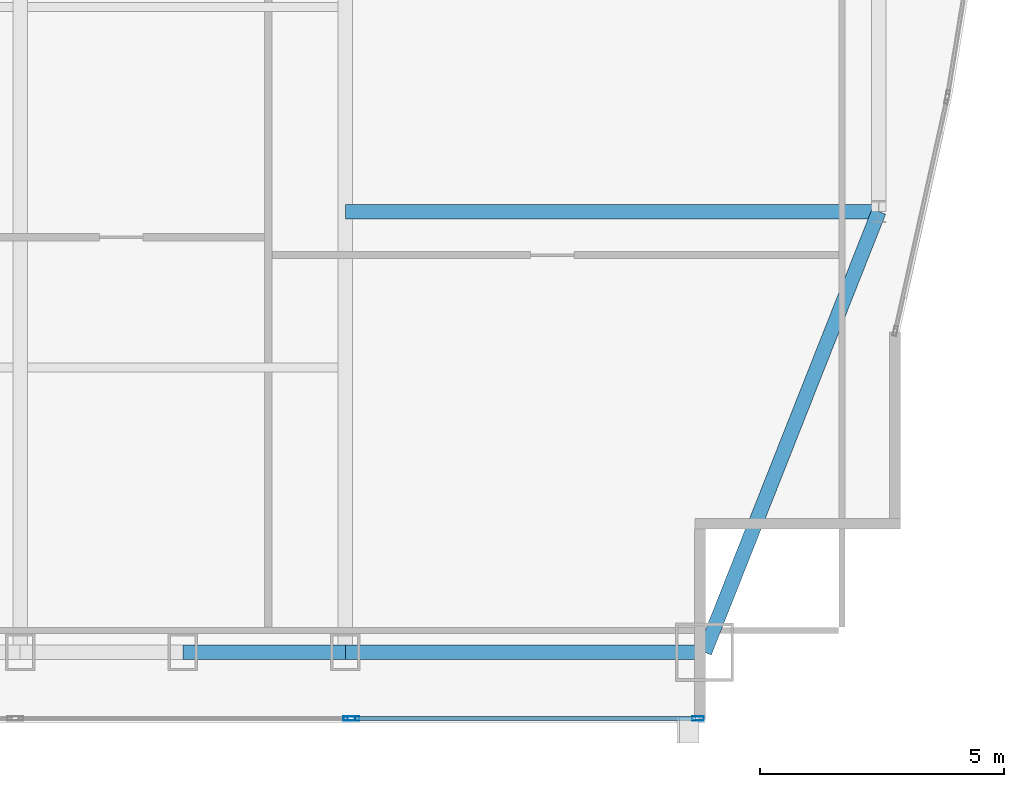
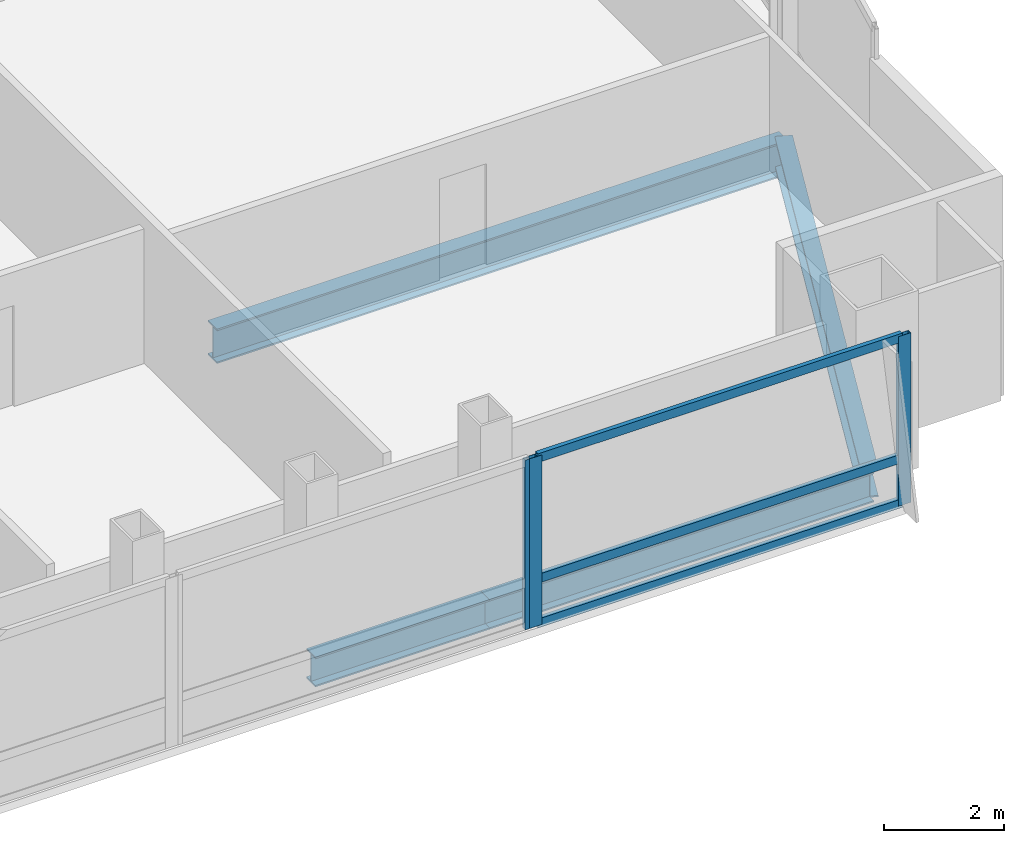
# One storey, part 14 of 30: 6 members, 4 beams, 2 elements without a shape of their own.
"""IFC4 building model written with IfcOpenShell, lengths in metres."""

from ifc_helpers import new_model, si_unit, direction, frame, origin, origin_2d, place, context, subcontext, project, spatial, hollow_rectangle, i_section, extrude, material, material_profile, profile_set, type_object, element, aggregate, save


model = new_model("IFC4")

# Units and contexts
model_context = context("Model", 3, precision=1e-05, world=origin(), true_north=direction((0.0, 1.0)))
body_context = subcontext(model_context, "Body", "Model", "MODEL_VIEW")
ifc_project = project(units=[si_unit("LENGTHUNIT", "METRE"), si_unit("AREAUNIT", "SQUARE_METRE"), si_unit("VOLUMEUNIT", "CUBIC_METRE"), si_unit("PLANEANGLEUNIT", "RADIAN"), si_unit("MASSUNIT", "GRAM", prefix="KILO")], contexts=[model_context])

# Site, building, storey
site_placement = place(None, origin())
site = spatial("IfcSite", under=ifc_project, at=site_placement, CompositionType="ELEMENT")
building_placement = place(site_placement, origin())
building = spatial("IfcBuilding", under=site, at=building_placement, Name="Khoronbel Lancet Exchange", CompositionType="ELEMENT")
storey_placement = place(building_placement, frame((0.0, 0.0, 213.800048828125)))
storey = spatial("IfcBuildingStorey", under=building, at=storey_placement, Name="L54", CompositionType="ELEMENT", Elevation=213.800048828125)

# Beams
ifc_material_1 = material(Name="Steel S355", Category="steel")
ifc_material_profile_1 = material_profile(ifc_material_1, i_section(OverallWidth=0.300048828125, OverallDepth=0.699951171875, WebThickness=0.01708984375, FlangeThickness=0.031982421875, at=origin_2d()), Name="HEB 700")
ifc_profile_set_1 = profile_set([ifc_material_profile_1], Name="Steel S355")
beam_type_1 = type_object("IfcBeamType", Name="BM-BG3", PredefinedType="BEAM", material=ifc_profile_set_1)
beam_1_placement = place(storey_placement, frame((54.675048828125, 19.199951171875, -0.510009765625), z_axis=(1.0, 0.0, 0.0), x_axis=(0.0, 1.0, 0.0)))
element("IfcBeam", 1, at=beam_1_placement, inside=storey, type_object=beam_type_1, Name="Level L54 east lens tie girder LG1E", PredefinedType="BEAM", context=body_context, shape_type="SweptSolid", body=[
    extrude(i_section(OverallWidth=0.300048828125, OverallDepth=0.699951171875, WebThickness=0.01708984375, FlangeThickness=0.031982421875, at=origin_2d()), origin(), (0.0, 0.0, 1.0), 10.954833984375),
])
ifc_material_profile_2 = material_profile(ifc_material_1, i_section(OverallWidth=0.300048828125, OverallDepth=0.60009765625, WebThickness=0.015380859375, FlangeThickness=0.030029296875, at=origin_2d()), Name="HEB 600")
ifc_profile_set_2 = profile_set([ifc_material_profile_2], Name="Steel S355")
beam_type_2 = type_object("IfcBeamType", Name="BM-BSP2", PredefinedType="SPANDREL", material=ifc_profile_set_2)
beam_2_placement = place(storey_placement, frame((51.33740234375, 10.14990234375, -0.4599609375), z_axis=(1.0, 0.0, 0.0), x_axis=(0.0, 1.0, 0.0)))
element("IfcBeam", 2, at=beam_2_placement, inside=storey, type_object=beam_type_2, Name="Level L54 perimeter spandrel beam SP08", PredefinedType="SPANDREL", context=body_context, shape_type="SweptSolid", body=[
    extrude(i_section(OverallWidth=0.300048828125, OverallDepth=0.60009765625, WebThickness=0.015380859375, FlangeThickness=0.030029296875, at=origin_2d()), origin(), (0.0, 0.0, 1.0), 3.337646484375),
])
beam_3_placement = place(storey_placement, frame((54.675048828125, 10.14990234375, -0.4599609375), z_axis=(1.0, 0.0, 0.0), x_axis=(0.0, 1.0, 0.0)))
element("IfcBeam", 3, at=beam_3_placement, inside=storey, type_object=beam_type_2, Name="Level L54 perimeter spandrel beam SP09", PredefinedType="SPANDREL", context=body_context, shape_type="SweptSolid", body=[
    extrude(i_section(OverallWidth=0.300048828125, OverallDepth=0.60009765625, WebThickness=0.015380859375, FlangeThickness=0.030029296875, at=origin_2d()), origin(), (0.0, 0.0, 1.0), 7.375),
])
beam_4_placement = place(storey_placement, frame((62.050048828125, 10.14990234375, -0.4599609375), z_axis=(0.367828403855, 0.929893684954, 0.0), x_axis=(-0.929893684954, 0.367828403855, 0.0)))
element("IfcBeam", 4, at=beam_4_placement, inside=storey, type_object=beam_type_2, Name="Level L54 perimeter spandrel beam SP10", PredefinedType="SPANDREL", context=body_context, shape_type="SweptSolid", body=[
    extrude(i_section(OverallWidth=0.300048828125, OverallDepth=0.60009765625, WebThickness=0.015380859375, FlangeThickness=0.030029296875, at=origin_2d()), origin(), (0.0, 0.0, 1.0), 9.732421875),
])

# Curtain wall, member
ifc_material_2 = material(Name="Low-E Solar Control Insulating Glass", Category="glass")
curtain_wall_type = type_object("IfcCurtainWallType", Name="CW-3", PredefinedType="NOTDEFINED", material=ifc_material_2)
curtain_wall_1_placement = place(storey_placement, origin())
curtain_wall_1 = element("IfcCurtainWall", 5, at=curtain_wall_1_placement, inside=storey, type_object=curtain_wall_type, Name="Unitised curtain wall CW-L54-SEB", PredefinedType="NOTDEFINED")
ifc_material_3 = material(Name="Bronze-Anodised Aluminium 6063-T6", Category="aluminium")
ifc_material_profile_3 = material_profile(ifc_material_3, hollow_rectangle(XDim=0.0849609375, YDim=0.239990234375, WallThickness=0.006103515625, at=origin_2d()), Name="ALU MULLION 85x240")
ifc_profile_set_3 = profile_set([ifc_material_profile_3], Name="Bronze-Anodised Aluminium 6063-T6")
member_type_1 = type_object("IfcMemberType", Name="MEM-CWM1", PredefinedType="MULLION", material=ifc_profile_set_3)
member_1_placement = place(storey_placement, frame((54.757568359375, 8.7900390625, 0.0), z_axis=(0.0, 0.0, 1.0), x_axis=(0.0, 1.0, 0.0)))
member_1 = element("IfcMember", 6, at=member_1_placement, type_object=member_type_1, Name="CW3 mullion 2", PredefinedType="MULLION", context=body_context, shape_type="SweptSolid", body=[
    extrude(hollow_rectangle(XDim=0.0849609375, YDim=0.239990234375, WallThickness=0.006103515625, at=origin_2d()), origin(), (0.0, 0.0, 1.0), 3.43994140625),
])
aggregate(curtain_wall_1, [member_1])

# Curtain wall, members
curtain_wall_2_placement = place(storey_placement, origin())
curtain_wall_2 = element("IfcCurtainWall", 7, at=curtain_wall_2_placement, inside=storey, type_object=curtain_wall_type, Name="Unitised curtain wall CW-L54-SEV", PredefinedType="NOTDEFINED")
member_2_placement = place(storey_placement, frame((54.842529296875, 8.7900390625, 0.0), z_axis=(0.0, 0.0, 1.0), x_axis=(0.0, 1.0, 0.0)))
member_2 = element("IfcMember", 8, at=member_2_placement, type_object=member_type_1, Name="CW3 mullion 1", PredefinedType="MULLION", context=body_context, shape_type="SweptSolid", body=[
    extrude(hollow_rectangle(XDim=0.0849609375, YDim=0.239990234375, WallThickness=0.006103515625, at=origin_2d()), origin(), (0.0, 0.0, 1.0), 3.43994140625),
])
member_3_placement = place(storey_placement, frame((61.91748046875, 8.7900390625, 0.0), z_axis=(0.0, 0.0, 1.0), x_axis=(0.0, 1.0, 0.0)))
member_3 = element("IfcMember", 9, at=member_3_placement, type_object=member_type_1, Name="CW3 mullion 2", PredefinedType="MULLION", context=body_context, shape_type="SweptSolid", body=[
    extrude(hollow_rectangle(XDim=0.0849609375, YDim=0.239990234375, WallThickness=0.006103515625, at=origin_2d()), origin(), (0.0, 0.0, 1.0), 3.43994140625),
])
ifc_material_profile_4 = material_profile(ifc_material_3, hollow_rectangle(XDim=0.0849609375, YDim=0.179931640625, WallThickness=0.0048828125, at=origin_2d()), Name="ALU TRANSOM 85x180")
ifc_profile_set_4 = profile_set([ifc_material_profile_4], Name="Bronze-Anodised Aluminium 6063-T6")
member_type_2 = type_object("IfcMemberType", Name="MEM-CWT1", PredefinedType="USERDEFINED", material=ifc_profile_set_4)
member_4_placement = place(storey_placement, frame((54.885009765625, 8.7900390625, 0.04248046875), z_axis=(1.0, 0.0, 0.0), x_axis=(0.0, 1.0, 0.0)))
member_4 = element("IfcMember", 10, at=member_4_placement, type_object=member_type_2, Name="CW3 transom 1.1", ObjectType="TRANSOM", PredefinedType="USERDEFINED", context=body_context, shape_type="SweptSolid", body=[
    extrude(hollow_rectangle(XDim=0.0849609375, YDim=0.179931640625, WallThickness=0.0048828125, at=origin_2d()), origin(), (0.0, 0.0, 1.0), 6.989990234375),
])
member_5_placement = place(storey_placement, frame((54.885009765625, 8.7900390625, 0.949951171875), z_axis=(1.0, 0.0, 0.0), x_axis=(0.0, 1.0, 0.0)))
member_5 = element("IfcMember", 11, at=member_5_placement, type_object=member_type_2, Name="CW3 transom 1.2", ObjectType="TRANSOM", PredefinedType="USERDEFINED", context=body_context, shape_type="SweptSolid", body=[
    extrude(hollow_rectangle(XDim=0.0849609375, YDim=0.179931640625, WallThickness=0.0048828125, at=origin_2d()), origin(), (0.0, 0.0, 1.0), 6.989990234375),
])
member_6_placement = place(storey_placement, frame((54.885009765625, 8.7900390625, 3.3974609375), z_axis=(1.0, 0.0, 0.0), x_axis=(0.0, 1.0, 0.0)))
member_6 = element("IfcMember", 12, at=member_6_placement, type_object=member_type_2, Name="CW3 transom 1.3", ObjectType="TRANSOM", PredefinedType="USERDEFINED", context=body_context, shape_type="SweptSolid", body=[
    extrude(hollow_rectangle(XDim=0.0849609375, YDim=0.179931640625, WallThickness=0.0048828125, at=origin_2d()), origin(), (0.0, 0.0, 1.0), 6.989990234375),
])
aggregate(curtain_wall_2, [member_2, member_3, member_4, member_5, member_6])

save(model, "model.ifc")
